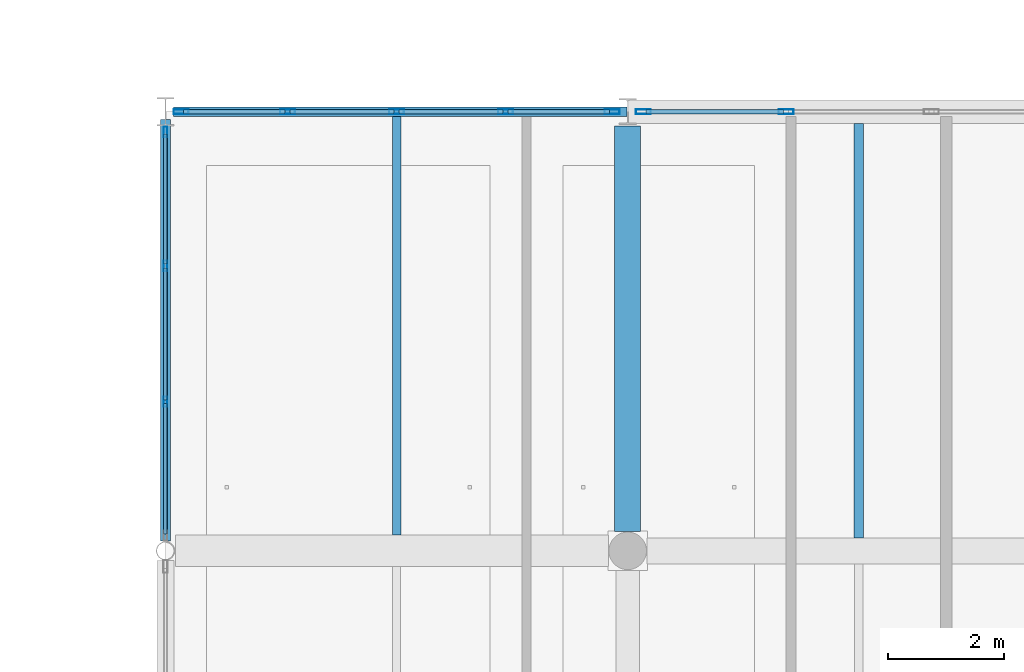
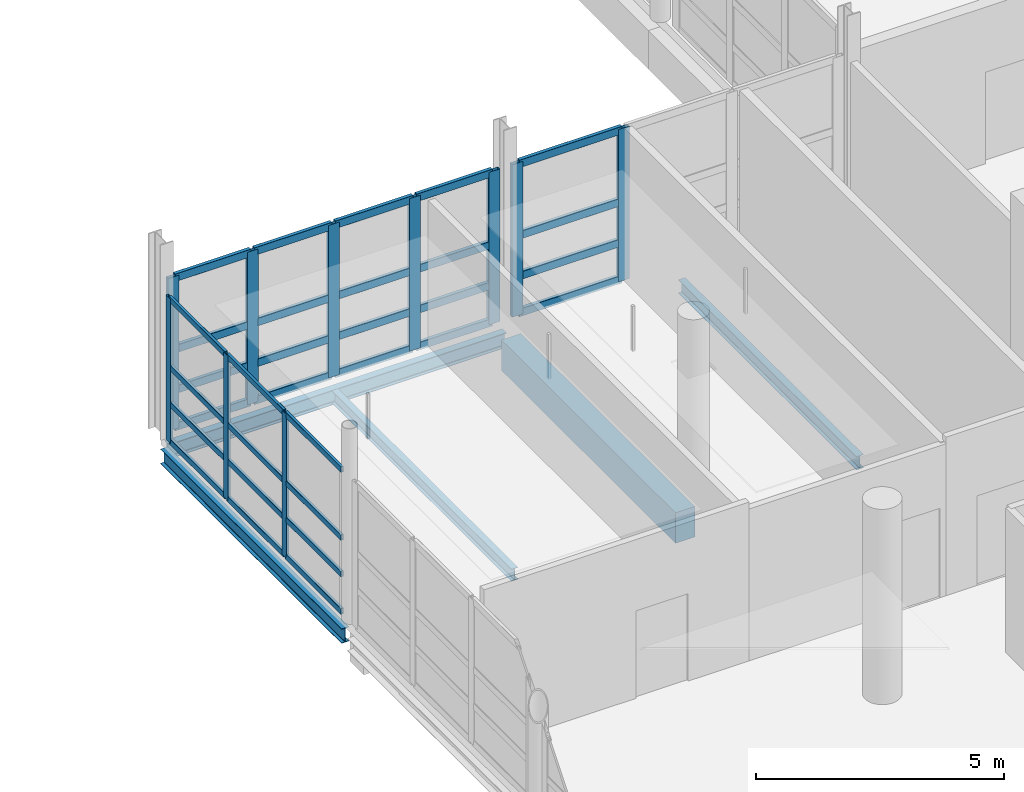
# One storey, part 50 of 147: 42 members, 5 beams, 3 elements without a shape of their own.
"""IFC4 building model written with IfcOpenShell, lengths in metres."""

from ifc_helpers import new_model, si_unit, direction, frame, origin, origin_2d, place, context, subcontext, project, spatial, rectangle, hollow_rectangle, i_section, extrude, material, material_profile, profile_set, type_object, element, aggregate, save


model = new_model("IFC4")

# Units and contexts
model_context = context("Model", 3, precision=1e-05, world=origin(), true_north=direction((0.0, 1.0)))
body_context = subcontext(model_context, "Body", "Model", "MODEL_VIEW")
ifc_project = project(units=[si_unit("LENGTHUNIT", "METRE"), si_unit("AREAUNIT", "SQUARE_METRE"), si_unit("VOLUMEUNIT", "CUBIC_METRE"), si_unit("PLANEANGLEUNIT", "RADIAN"), si_unit("MASSUNIT", "GRAM", prefix="KILO")], contexts=[model_context])

# Site, building, storey
site_placement = place(None, origin())
site = spatial("IfcSite", under=ifc_project, at=site_placement, CompositionType="ELEMENT")
building_placement = place(site_placement, origin())
building = spatial("IfcBuilding", under=site, at=building_placement, Name="Khelvaren Railside Concert Hall", CompositionType="ELEMENT")
storey_placement = place(building_placement, frame((0.0, 0.0, 5.39990234375)))
storey = spatial("IfcBuildingStorey", under=building, at=storey_placement, Name="L01", CompositionType="ELEMENT", Elevation=5.39990234375)

# Beam
ifc_material_1 = material(Name="Concrete C40/50", Category="concrete")
ifc_material_profile_1 = material_profile(ifc_material_1, rectangle(XDim=0.449951171875, YDim=0.75, at=origin_2d()), Name="RCB 450x750")
ifc_profile_set_1 = profile_set([ifc_material_profile_1], Name="Concrete C40/50")
beam_type_1 = type_object("IfcBeamType", Name="BM83", PredefinedType="BEAM", material=ifc_profile_set_1)
beam_1_placement = place(storey_placement, frame((152.0, 30.736083984375, -0.6748046875), z_axis=(0.0, 1.0, 0.0), x_axis=(-1.0, 0.0, 0.0)))
element("IfcBeam", 1, at=beam_1_placement, inside=storey, type_object=beam_type_1, Name="V2 L01 Beam Y2.5", PredefinedType="BEAM", context=body_context, shape_type="SweptSolid", body=[
    extrude(rectangle(XDim=0.449951171875, YDim=0.75, at=origin_2d()), origin(), (0.0, 0.0, 1.0), 7.013916015625),
])

# Curtain wall, members
ifc_material_2 = material(Name="Acoustic laminated crystal facade glass", Category="glass")
curtain_wall_type_1 = type_object("IfcCurtainWallType", Name="CW54", PredefinedType="USERDEFINED", material=ifc_material_2)
curtain_wall_1_placement = place(storey_placement, origin())
curtain_wall_1 = element("IfcCurtainWall", 2, at=curtain_wall_1_placement, inside=storey, type_object=curtain_wall_type_1, Name="Unitised Curtain Wall CW-V2-L01-N-144", ObjectType="UNITISED CURTAIN WALL", PredefinedType="USERDEFINED")
ifc_material_3 = material(Name="Anodised architectural aluminium 6063-T6", Category="aluminium")
ifc_material_profile_2 = material_profile(ifc_material_3, hollow_rectangle(XDim=0.0849609375, YDim=0.260009765625, WallThickness=0.0048828125, InnerFilletRadius=0.0029296875, OuterFilletRadius=0.0048828125, at=origin_2d()), Name="CWM 85x260x5")
ifc_profile_set_2 = profile_set([ifc_material_profile_2], Name="Anodised architectural aluminium 6063-T6")
member_type_1 = type_object("IfcMemberType", Name="CWM40", PredefinedType="MULLION", material=ifc_profile_set_2)
member_1_placement = place(storey_placement, frame((144.27001953125, 38.0, 0.0), z_axis=(0.0, 0.0, 1.0), x_axis=(0.0, 1.0, 0.0)))
member_1 = element("IfcMember", 3, at=member_1_placement, type_object=member_type_1, Name="CW54 mullion 1", PredefinedType="MULLION", context=body_context, shape_type="SweptSolid", body=[
    extrude(hollow_rectangle(XDim=0.0849609375, YDim=0.260009765625, WallThickness=0.0048828125, InnerFilletRadius=0.0029296875, OuterFilletRadius=0.0048828125, at=origin_2d()), origin(), (0.0, 0.0, 1.0), 3.75),
])
member_2_placement = place(storey_placement, frame((146.11376953125, 38.0, 0.0), z_axis=(0.0, 0.0, 1.0), x_axis=(0.0, 1.0, 0.0)))
member_2 = element("IfcMember", 4, at=member_2_placement, type_object=member_type_1, Name="CW54 mullion 2", PredefinedType="MULLION", context=body_context, shape_type="SweptSolid", body=[
    extrude(hollow_rectangle(XDim=0.0849609375, YDim=0.260009765625, WallThickness=0.0048828125, InnerFilletRadius=0.0029296875, OuterFilletRadius=0.0048828125, at=origin_2d()), origin(), (0.0, 0.0, 1.0), 3.75),
])
member_3_placement = place(storey_placement, frame((148.0, 38.0, 0.0), z_axis=(0.0, 0.0, 1.0), x_axis=(0.0, 1.0, 0.0)))
member_3 = element("IfcMember", 5, at=member_3_placement, type_object=member_type_1, Name="CW54 mullion 3", PredefinedType="MULLION", context=body_context, shape_type="SweptSolid", body=[
    extrude(hollow_rectangle(XDim=0.0849609375, YDim=0.260009765625, WallThickness=0.0048828125, InnerFilletRadius=0.0029296875, OuterFilletRadius=0.0048828125, at=origin_2d()), origin(), (0.0, 0.0, 1.0), 3.75),
])
member_4_placement = place(storey_placement, frame((149.88623046875, 38.0, 0.0), z_axis=(0.0, 0.0, 1.0), x_axis=(0.0, 1.0, 0.0)))
member_4 = element("IfcMember", 6, at=member_4_placement, type_object=member_type_1, Name="CW54 mullion 4", PredefinedType="MULLION", context=body_context, shape_type="SweptSolid", body=[
    extrude(hollow_rectangle(XDim=0.0849609375, YDim=0.260009765625, WallThickness=0.0048828125, InnerFilletRadius=0.0029296875, OuterFilletRadius=0.0048828125, at=origin_2d()), origin(), (0.0, 0.0, 1.0), 3.75),
])
member_5_placement = place(storey_placement, frame((151.72998046875, 38.0, 0.0), z_axis=(0.0, 0.0, 1.0), x_axis=(0.0, 1.0, 0.0)))
member_5 = element("IfcMember", 7, at=member_5_placement, type_object=member_type_1, Name="CW54 mullion 5", PredefinedType="MULLION", context=body_context, shape_type="SweptSolid", body=[
    extrude(hollow_rectangle(XDim=0.0849609375, YDim=0.260009765625, WallThickness=0.0048828125, InnerFilletRadius=0.0029296875, OuterFilletRadius=0.0048828125, at=origin_2d()), origin(), (0.0, 0.0, 1.0), 3.75),
])

curtain_wall_type_2 = type_object("IfcCurtainWallType", Name="CW66", PredefinedType="USERDEFINED", material=ifc_material_2)
curtain_wall_2_placement = place(storey_placement, origin())
curtain_wall_2 = element("IfcCurtainWall", 8, at=curtain_wall_2_placement, inside=storey, type_object=curtain_wall_type_2, Name="Unitised Curtain Wall CW-V2-L01-N-152", ObjectType="UNITISED CURTAIN WALL", PredefinedType="USERDEFINED")
member_6_placement = place(storey_placement, frame((152.27001953125, 38.0, 0.0), z_axis=(0.0, 0.0, 1.0), x_axis=(0.0, 1.0, 0.0)))
member_6 = element("IfcMember", 9, at=member_6_placement, type_object=member_type_1, Name="CW66 mullion 1", PredefinedType="MULLION", context=body_context, shape_type="SweptSolid", body=[
    extrude(hollow_rectangle(XDim=0.0849609375, YDim=0.260009765625, WallThickness=0.0048828125, InnerFilletRadius=0.0029296875, OuterFilletRadius=0.0048828125, at=origin_2d()), origin(), (0.0, 0.0, 1.0), 3.75),
])
member_7_placement = place(storey_placement, frame((154.742431640625, 38.0, 0.0), z_axis=(0.0, 0.0, 1.0), x_axis=(0.0, 1.0, 0.0)))
member_7 = element("IfcMember", 10, at=member_7_placement, type_object=member_type_1, Name="CW66 mullion 2", PredefinedType="MULLION", context=body_context, shape_type="SweptSolid", body=[
    extrude(hollow_rectangle(XDim=0.0849609375, YDim=0.260009765625, WallThickness=0.0048828125, InnerFilletRadius=0.0029296875, OuterFilletRadius=0.0048828125, at=origin_2d()), origin(), (0.0, 0.0, 1.0), 3.75),
])

ifc_material_4 = material(Name="Double-glazed low-E dark acoustic glass", Category="glass")
curtain_wall_type_3 = type_object("IfcCurtainWallType", Name="CW65", PredefinedType="USERDEFINED", material=ifc_material_4)
curtain_wall_3_placement = place(storey_placement, origin())
curtain_wall_3 = element("IfcCurtainWall", 11, at=curtain_wall_3_placement, inside=storey, type_object=curtain_wall_type_3, Name="Unitised Curtain Wall CW-V2-L01-W-30", ObjectType="UNITISED CURTAIN WALL", PredefinedType="USERDEFINED")
ifc_material_profile_3 = material_profile(ifc_material_3, hollow_rectangle(XDim=0.06494140625, YDim=0.179931640625, WallThickness=0.00390625, InnerFilletRadius=0.001953125, OuterFilletRadius=0.00390625, at=origin_2d()), Name="CWM 65x180x4")
ifc_profile_set_3 = profile_set([ifc_material_profile_3], Name="Anodised architectural aluminium 6063-T6")
member_type_2 = type_object("IfcMemberType", Name="CWM63", PredefinedType="MULLION", material=ifc_profile_set_3)
member_8_placement = place(storey_placement, frame((144.0, 32.98046875, 0.0), z_axis=(0.0, 0.0, 1.0), x_axis=(-1.0, 0.0, 0.0)))
member_8 = element("IfcMember", 12, at=member_8_placement, type_object=member_type_2, Name="CW65 mullion 2", PredefinedType="MULLION", context=body_context, shape_type="SweptSolid", body=[
    extrude(hollow_rectangle(XDim=0.06494140625, YDim=0.179931640625, WallThickness=0.00390625, InnerFilletRadius=0.001953125, OuterFilletRadius=0.00390625, at=origin_2d()), origin(), (0.0, 0.0, 1.0), 3.550048828125),
])
member_9_placement = place(storey_placement, frame((144.0, 35.33154296875, 0.0), z_axis=(0.0, 0.0, 1.0), x_axis=(-1.0, 0.0, 0.0)))
member_9 = element("IfcMember", 13, at=member_9_placement, type_object=member_type_2, Name="CW65 mullion 3", PredefinedType="MULLION", context=body_context, shape_type="SweptSolid", body=[
    extrude(hollow_rectangle(XDim=0.06494140625, YDim=0.179931640625, WallThickness=0.00390625, InnerFilletRadius=0.001953125, OuterFilletRadius=0.00390625, at=origin_2d()), origin(), (0.0, 0.0, 1.0), 3.550048828125),
])
member_10_placement = place(storey_placement, frame((144.0, 37.64990234375, 0.0), z_axis=(0.0, 0.0, 1.0), x_axis=(-1.0, 0.0, 0.0)))
member_10 = element("IfcMember", 14, at=member_10_placement, type_object=member_type_2, Name="CW65 mullion 4", PredefinedType="MULLION", context=body_context, shape_type="SweptSolid", body=[
    extrude(hollow_rectangle(XDim=0.06494140625, YDim=0.179931640625, WallThickness=0.00390625, InnerFilletRadius=0.001953125, OuterFilletRadius=0.00390625, at=origin_2d()), origin(), (0.0, 0.0, 1.0), 3.550048828125),
])

# Member
ifc_material_profile_4 = material_profile(ifc_material_3, hollow_rectangle(XDim=0.0849609375, YDim=0.18994140625, WallThickness=0.0048828125, InnerFilletRadius=0.0029296875, OuterFilletRadius=0.0048828125, at=origin_2d()), Name="CWT 85x190x5")
ifc_profile_set_4 = profile_set([ifc_material_profile_4], Name="Anodised architectural aluminium 6063-T6")
member_type_3 = type_object("IfcMemberType", Name="CWT31", PredefinedType="USERDEFINED", material=ifc_profile_set_4)
member_11_placement = place(storey_placement, frame((144.3125, 38.0, 0.04248046875), z_axis=(1.0, 0.0, 0.0), x_axis=(0.0, 1.0, 0.0)))
member_11 = element("IfcMember", 15, at=member_11_placement, type_object=member_type_3, Name="CW54 transom 1.1", ObjectType="TRANSOM", PredefinedType="USERDEFINED", context=body_context, shape_type="SweptSolid", body=[
    extrude(hollow_rectangle(XDim=0.0849609375, YDim=0.18994140625, WallThickness=0.0048828125, InnerFilletRadius=0.0029296875, OuterFilletRadius=0.0048828125, at=origin_2d()), origin(), (0.0, 0.0, 1.0), 1.7587890625),
])

member_12_placement = place(storey_placement, frame((144.3125, 38.0, 0.9501953125), z_axis=(1.0, 0.0, 0.0), x_axis=(0.0, 1.0, 0.0)))
member_12 = element("IfcMember", 16, at=member_12_placement, type_object=member_type_3, Name="CW54 transom 1.2", ObjectType="TRANSOM", PredefinedType="USERDEFINED", context=body_context, shape_type="SweptSolid", body=[
    extrude(hollow_rectangle(XDim=0.0849609375, YDim=0.18994140625, WallThickness=0.0048828125, InnerFilletRadius=0.0029296875, OuterFilletRadius=0.0048828125, at=origin_2d()), origin(), (0.0, 0.0, 1.0), 1.7587890625),
])

member_13_placement = place(storey_placement, frame((144.3125, 38.0, 1.9501953125), z_axis=(1.0, 0.0, 0.0), x_axis=(0.0, 1.0, 0.0)))
member_13 = element("IfcMember", 17, at=member_13_placement, type_object=member_type_3, Name="CW54 transom 1.3", ObjectType="TRANSOM", PredefinedType="USERDEFINED", context=body_context, shape_type="SweptSolid", body=[
    extrude(hollow_rectangle(XDim=0.0849609375, YDim=0.18994140625, WallThickness=0.0048828125, InnerFilletRadius=0.0029296875, OuterFilletRadius=0.0048828125, at=origin_2d()), origin(), (0.0, 0.0, 1.0), 1.7587890625),
])

member_14_placement = place(storey_placement, frame((144.3125, 38.0, 3.70751953125), z_axis=(1.0, 0.0, 0.0), x_axis=(0.0, 1.0, 0.0)))
member_14 = element("IfcMember", 18, at=member_14_placement, type_object=member_type_3, Name="CW54 transom 1.4", ObjectType="TRANSOM", PredefinedType="USERDEFINED", context=body_context, shape_type="SweptSolid", body=[
    extrude(hollow_rectangle(XDim=0.0849609375, YDim=0.18994140625, WallThickness=0.0048828125, InnerFilletRadius=0.0029296875, OuterFilletRadius=0.0048828125, at=origin_2d()), origin(), (0.0, 0.0, 1.0), 1.7587890625),
])

member_15_placement = place(storey_placement, frame((146.15625, 38.0, 0.04248046875), z_axis=(1.0, 0.0, 0.0), x_axis=(0.0, 1.0, 0.0)))
member_15 = element("IfcMember", 19, at=member_15_placement, type_object=member_type_3, Name="CW54 transom 2.1", ObjectType="TRANSOM", PredefinedType="USERDEFINED", context=body_context, shape_type="SweptSolid", body=[
    extrude(hollow_rectangle(XDim=0.0849609375, YDim=0.18994140625, WallThickness=0.0048828125, InnerFilletRadius=0.0029296875, OuterFilletRadius=0.0048828125, at=origin_2d()), origin(), (0.0, 0.0, 1.0), 1.80126953125),
])

member_16_placement = place(storey_placement, frame((146.15625, 38.0, 0.9501953125), z_axis=(1.0, 0.0, 0.0), x_axis=(0.0, 1.0, 0.0)))
member_16 = element("IfcMember", 20, at=member_16_placement, type_object=member_type_3, Name="CW54 transom 2.2", ObjectType="TRANSOM", PredefinedType="USERDEFINED", context=body_context, shape_type="SweptSolid", body=[
    extrude(hollow_rectangle(XDim=0.0849609375, YDim=0.18994140625, WallThickness=0.0048828125, InnerFilletRadius=0.0029296875, OuterFilletRadius=0.0048828125, at=origin_2d()), origin(), (0.0, 0.0, 1.0), 1.80126953125),
])

member_17_placement = place(storey_placement, frame((146.15625, 38.0, 1.9501953125), z_axis=(1.0, 0.0, 0.0), x_axis=(0.0, 1.0, 0.0)))
member_17 = element("IfcMember", 21, at=member_17_placement, type_object=member_type_3, Name="CW54 transom 2.3", ObjectType="TRANSOM", PredefinedType="USERDEFINED", context=body_context, shape_type="SweptSolid", body=[
    extrude(hollow_rectangle(XDim=0.0849609375, YDim=0.18994140625, WallThickness=0.0048828125, InnerFilletRadius=0.0029296875, OuterFilletRadius=0.0048828125, at=origin_2d()), origin(), (0.0, 0.0, 1.0), 1.80126953125),
])

member_18_placement = place(storey_placement, frame((146.15625, 38.0, 3.70751953125), z_axis=(1.0, 0.0, 0.0), x_axis=(0.0, 1.0, 0.0)))
member_18 = element("IfcMember", 22, at=member_18_placement, type_object=member_type_3, Name="CW54 transom 2.4", ObjectType="TRANSOM", PredefinedType="USERDEFINED", context=body_context, shape_type="SweptSolid", body=[
    extrude(hollow_rectangle(XDim=0.0849609375, YDim=0.18994140625, WallThickness=0.0048828125, InnerFilletRadius=0.0029296875, OuterFilletRadius=0.0048828125, at=origin_2d()), origin(), (0.0, 0.0, 1.0), 1.80126953125),
])

member_19_placement = place(storey_placement, frame((148.04248046875, 38.0, 0.04248046875), z_axis=(1.0, 0.0, 0.0), x_axis=(0.0, 1.0, 0.0)))
member_19 = element("IfcMember", 23, at=member_19_placement, type_object=member_type_3, Name="CW54 transom 3.1", ObjectType="TRANSOM", PredefinedType="USERDEFINED", context=body_context, shape_type="SweptSolid", body=[
    extrude(hollow_rectangle(XDim=0.0849609375, YDim=0.18994140625, WallThickness=0.0048828125, InnerFilletRadius=0.0029296875, OuterFilletRadius=0.0048828125, at=origin_2d()), origin(), (0.0, 0.0, 1.0), 1.80126953125),
])

member_20_placement = place(storey_placement, frame((148.04248046875, 38.0, 0.9501953125), z_axis=(1.0, 0.0, 0.0), x_axis=(0.0, 1.0, 0.0)))
member_20 = element("IfcMember", 24, at=member_20_placement, type_object=member_type_3, Name="CW54 transom 3.2", ObjectType="TRANSOM", PredefinedType="USERDEFINED", context=body_context, shape_type="SweptSolid", body=[
    extrude(hollow_rectangle(XDim=0.0849609375, YDim=0.18994140625, WallThickness=0.0048828125, InnerFilletRadius=0.0029296875, OuterFilletRadius=0.0048828125, at=origin_2d()), origin(), (0.0, 0.0, 1.0), 1.80126953125),
])

member_21_placement = place(storey_placement, frame((148.04248046875, 38.0, 1.9501953125), z_axis=(1.0, 0.0, 0.0), x_axis=(0.0, 1.0, 0.0)))
member_21 = element("IfcMember", 25, at=member_21_placement, type_object=member_type_3, Name="CW54 transom 3.3", ObjectType="TRANSOM", PredefinedType="USERDEFINED", context=body_context, shape_type="SweptSolid", body=[
    extrude(hollow_rectangle(XDim=0.0849609375, YDim=0.18994140625, WallThickness=0.0048828125, InnerFilletRadius=0.0029296875, OuterFilletRadius=0.0048828125, at=origin_2d()), origin(), (0.0, 0.0, 1.0), 1.80126953125),
])

member_22_placement = place(storey_placement, frame((148.04248046875, 38.0, 3.70751953125), z_axis=(1.0, 0.0, 0.0), x_axis=(0.0, 1.0, 0.0)))
member_22 = element("IfcMember", 26, at=member_22_placement, type_object=member_type_3, Name="CW54 transom 3.4", ObjectType="TRANSOM", PredefinedType="USERDEFINED", context=body_context, shape_type="SweptSolid", body=[
    extrude(hollow_rectangle(XDim=0.0849609375, YDim=0.18994140625, WallThickness=0.0048828125, InnerFilletRadius=0.0029296875, OuterFilletRadius=0.0048828125, at=origin_2d()), origin(), (0.0, 0.0, 1.0), 1.80126953125),
])

member_23_placement = place(storey_placement, frame((149.9287109375, 38.0, 0.04248046875), z_axis=(1.0, 0.0, 0.0), x_axis=(0.0, 1.0, 0.0)))
member_23 = element("IfcMember", 27, at=member_23_placement, type_object=member_type_3, Name="CW54 transom 4.1", ObjectType="TRANSOM", PredefinedType="USERDEFINED", context=body_context, shape_type="SweptSolid", body=[
    extrude(hollow_rectangle(XDim=0.0849609375, YDim=0.18994140625, WallThickness=0.0048828125, InnerFilletRadius=0.0029296875, OuterFilletRadius=0.0048828125, at=origin_2d()), origin(), (0.0, 0.0, 1.0), 1.7587890625),
])

member_24_placement = place(storey_placement, frame((149.9287109375, 38.0, 0.9501953125), z_axis=(1.0, 0.0, 0.0), x_axis=(0.0, 1.0, 0.0)))
member_24 = element("IfcMember", 28, at=member_24_placement, type_object=member_type_3, Name="CW54 transom 4.2", ObjectType="TRANSOM", PredefinedType="USERDEFINED", context=body_context, shape_type="SweptSolid", body=[
    extrude(hollow_rectangle(XDim=0.0849609375, YDim=0.18994140625, WallThickness=0.0048828125, InnerFilletRadius=0.0029296875, OuterFilletRadius=0.0048828125, at=origin_2d()), origin(), (0.0, 0.0, 1.0), 1.7587890625),
])

member_25_placement = place(storey_placement, frame((149.9287109375, 38.0, 1.9501953125), z_axis=(1.0, 0.0, 0.0), x_axis=(0.0, 1.0, 0.0)))
member_25 = element("IfcMember", 29, at=member_25_placement, type_object=member_type_3, Name="CW54 transom 4.3", ObjectType="TRANSOM", PredefinedType="USERDEFINED", context=body_context, shape_type="SweptSolid", body=[
    extrude(hollow_rectangle(XDim=0.0849609375, YDim=0.18994140625, WallThickness=0.0048828125, InnerFilletRadius=0.0029296875, OuterFilletRadius=0.0048828125, at=origin_2d()), origin(), (0.0, 0.0, 1.0), 1.7587890625),
])

member_26_placement = place(storey_placement, frame((149.9287109375, 38.0, 3.70751953125), z_axis=(1.0, 0.0, 0.0), x_axis=(0.0, 1.0, 0.0)))
member_26 = element("IfcMember", 30, at=member_26_placement, type_object=member_type_3, Name="CW54 transom 4.4", ObjectType="TRANSOM", PredefinedType="USERDEFINED", context=body_context, shape_type="SweptSolid", body=[
    extrude(hollow_rectangle(XDim=0.0849609375, YDim=0.18994140625, WallThickness=0.0048828125, InnerFilletRadius=0.0029296875, OuterFilletRadius=0.0048828125, at=origin_2d()), origin(), (0.0, 0.0, 1.0), 1.7587890625),
])

aggregate(curtain_wall_1, [member_1, member_2, member_3, member_4, member_5, member_11, member_12, member_13, member_14, member_15, member_16, member_17, member_18, member_19, member_20, member_21, member_22, member_23, member_24, member_25, member_26])

member_27_placement = place(storey_placement, frame((152.3125, 38.0, 0.04248046875), z_axis=(1.0, 0.0, 0.0), x_axis=(0.0, 1.0, 0.0)))
member_27 = element("IfcMember", 31, at=member_27_placement, type_object=member_type_3, Name="CW66 transom 1.1", ObjectType="TRANSOM", PredefinedType="USERDEFINED", context=body_context, shape_type="SweptSolid", body=[
    extrude(hollow_rectangle(XDim=0.0849609375, YDim=0.18994140625, WallThickness=0.0048828125, InnerFilletRadius=0.0029296875, OuterFilletRadius=0.0048828125, at=origin_2d()), origin(), (0.0, 0.0, 1.0), 2.387451171875),
])

member_28_placement = place(storey_placement, frame((152.3125, 38.0, 0.9501953125), z_axis=(1.0, 0.0, 0.0), x_axis=(0.0, 1.0, 0.0)))
member_28 = element("IfcMember", 32, at=member_28_placement, type_object=member_type_3, Name="CW66 transom 1.2", ObjectType="TRANSOM", PredefinedType="USERDEFINED", context=body_context, shape_type="SweptSolid", body=[
    extrude(hollow_rectangle(XDim=0.0849609375, YDim=0.18994140625, WallThickness=0.0048828125, InnerFilletRadius=0.0029296875, OuterFilletRadius=0.0048828125, at=origin_2d()), origin(), (0.0, 0.0, 1.0), 2.387451171875),
])

member_29_placement = place(storey_placement, frame((152.3125, 38.0, 1.9501953125), z_axis=(1.0, 0.0, 0.0), x_axis=(0.0, 1.0, 0.0)))
member_29 = element("IfcMember", 33, at=member_29_placement, type_object=member_type_3, Name="CW66 transom 1.3", ObjectType="TRANSOM", PredefinedType="USERDEFINED", context=body_context, shape_type="SweptSolid", body=[
    extrude(hollow_rectangle(XDim=0.0849609375, YDim=0.18994140625, WallThickness=0.0048828125, InnerFilletRadius=0.0029296875, OuterFilletRadius=0.0048828125, at=origin_2d()), origin(), (0.0, 0.0, 1.0), 2.387451171875),
])

member_30_placement = place(storey_placement, frame((152.3125, 38.0, 3.70751953125), z_axis=(1.0, 0.0, 0.0), x_axis=(0.0, 1.0, 0.0)))
member_30 = element("IfcMember", 34, at=member_30_placement, type_object=member_type_3, Name="CW66 transom 1.4", ObjectType="TRANSOM", PredefinedType="USERDEFINED", context=body_context, shape_type="SweptSolid", body=[
    extrude(hollow_rectangle(XDim=0.0849609375, YDim=0.18994140625, WallThickness=0.0048828125, InnerFilletRadius=0.0029296875, OuterFilletRadius=0.0048828125, at=origin_2d()), origin(), (0.0, 0.0, 1.0), 2.387451171875),
])

aggregate(curtain_wall_2, [member_6, member_7, member_27, member_28, member_29, member_30])

ifc_material_profile_5 = material_profile(ifc_material_3, hollow_rectangle(XDim=0.06494140625, YDim=0.139892578125, WallThickness=0.00390625, InnerFilletRadius=0.001953125, OuterFilletRadius=0.00390625, at=origin_2d()), Name="CWT 65x140x4")
ifc_profile_set_5 = profile_set([ifc_material_profile_5], Name="Anodised architectural aluminium 6063-T6")
member_type_4 = type_object("IfcMemberType", Name="CWT72", PredefinedType="USERDEFINED", material=ifc_profile_set_5)
member_31_placement = place(storey_placement, frame((144.0, 30.694580078125, 0.03271484375), z_axis=(0.0, 1.0, 0.0), x_axis=(-1.0, 0.0, 0.0)))
member_31 = element("IfcMember", 35, at=member_31_placement, type_object=member_type_4, Name="CW65 transom 1.1", ObjectType="TRANSOM", PredefinedType="USERDEFINED", context=body_context, shape_type="SweptSolid", body=[
    extrude(hollow_rectangle(XDim=0.06494140625, YDim=0.139892578125, WallThickness=0.00390625, InnerFilletRadius=0.001953125, OuterFilletRadius=0.00390625, at=origin_2d()), origin(), (0.0, 0.0, 1.0), 2.25341796875),
])

member_32_placement = place(storey_placement, frame((144.0, 30.694580078125, 0.9501953125), z_axis=(0.0, 1.0, 0.0), x_axis=(-1.0, 0.0, 0.0)))
member_32 = element("IfcMember", 36, at=member_32_placement, type_object=member_type_4, Name="CW65 transom 1.2", ObjectType="TRANSOM", PredefinedType="USERDEFINED", context=body_context, shape_type="SweptSolid", body=[
    extrude(hollow_rectangle(XDim=0.06494140625, YDim=0.139892578125, WallThickness=0.00390625, InnerFilletRadius=0.001953125, OuterFilletRadius=0.00390625, at=origin_2d()), origin(), (0.0, 0.0, 1.0), 2.25341796875),
])

member_33_placement = place(storey_placement, frame((144.0, 30.694580078125, 1.84619140625), z_axis=(0.0, 1.0, 0.0), x_axis=(-1.0, 0.0, 0.0)))
member_33 = element("IfcMember", 37, at=member_33_placement, type_object=member_type_4, Name="CW65 transom 1.3", ObjectType="TRANSOM", PredefinedType="USERDEFINED", context=body_context, shape_type="SweptSolid", body=[
    extrude(hollow_rectangle(XDim=0.06494140625, YDim=0.139892578125, WallThickness=0.00390625, InnerFilletRadius=0.001953125, OuterFilletRadius=0.00390625, at=origin_2d()), origin(), (0.0, 0.0, 1.0), 2.25341796875),
])

member_34_placement = place(storey_placement, frame((144.0, 30.694580078125, 3.517578125), z_axis=(0.0, 1.0, 0.0), x_axis=(-1.0, 0.0, 0.0)))
member_34 = element("IfcMember", 38, at=member_34_placement, type_object=member_type_4, Name="CW65 transom 1.4", ObjectType="TRANSOM", PredefinedType="USERDEFINED", context=body_context, shape_type="SweptSolid", body=[
    extrude(hollow_rectangle(XDim=0.06494140625, YDim=0.139892578125, WallThickness=0.00390625, InnerFilletRadius=0.001953125, OuterFilletRadius=0.00390625, at=origin_2d()), origin(), (0.0, 0.0, 1.0), 2.25341796875),
])

member_35_placement = place(storey_placement, frame((144.0, 33.012939453125, 0.03271484375), z_axis=(0.0, 1.0, 0.0), x_axis=(-1.0, 0.0, 0.0)))
member_35 = element("IfcMember", 39, at=member_35_placement, type_object=member_type_4, Name="CW65 transom 2.1", ObjectType="TRANSOM", PredefinedType="USERDEFINED", context=body_context, shape_type="SweptSolid", body=[
    extrude(hollow_rectangle(XDim=0.06494140625, YDim=0.139892578125, WallThickness=0.00390625, InnerFilletRadius=0.001953125, OuterFilletRadius=0.00390625, at=origin_2d()), origin(), (0.0, 0.0, 1.0), 2.2861328125),
])

member_36_placement = place(storey_placement, frame((144.0, 33.012939453125, 0.9501953125), z_axis=(0.0, 1.0, 0.0), x_axis=(-1.0, 0.0, 0.0)))
member_36 = element("IfcMember", 40, at=member_36_placement, type_object=member_type_4, Name="CW65 transom 2.2", ObjectType="TRANSOM", PredefinedType="USERDEFINED", context=body_context, shape_type="SweptSolid", body=[
    extrude(hollow_rectangle(XDim=0.06494140625, YDim=0.139892578125, WallThickness=0.00390625, InnerFilletRadius=0.001953125, OuterFilletRadius=0.00390625, at=origin_2d()), origin(), (0.0, 0.0, 1.0), 2.2861328125),
])

member_37_placement = place(storey_placement, frame((144.0, 33.012939453125, 1.84619140625), z_axis=(0.0, 1.0, 0.0), x_axis=(-1.0, 0.0, 0.0)))
member_37 = element("IfcMember", 41, at=member_37_placement, type_object=member_type_4, Name="CW65 transom 2.3", ObjectType="TRANSOM", PredefinedType="USERDEFINED", context=body_context, shape_type="SweptSolid", body=[
    extrude(hollow_rectangle(XDim=0.06494140625, YDim=0.139892578125, WallThickness=0.00390625, InnerFilletRadius=0.001953125, OuterFilletRadius=0.00390625, at=origin_2d()), origin(), (0.0, 0.0, 1.0), 2.2861328125),
])

member_38_placement = place(storey_placement, frame((144.0, 33.012939453125, 3.517578125), z_axis=(0.0, 1.0, 0.0), x_axis=(-1.0, 0.0, 0.0)))
member_38 = element("IfcMember", 42, at=member_38_placement, type_object=member_type_4, Name="CW65 transom 2.4", ObjectType="TRANSOM", PredefinedType="USERDEFINED", context=body_context, shape_type="SweptSolid", body=[
    extrude(hollow_rectangle(XDim=0.06494140625, YDim=0.139892578125, WallThickness=0.00390625, InnerFilletRadius=0.001953125, OuterFilletRadius=0.00390625, at=origin_2d()), origin(), (0.0, 0.0, 1.0), 2.2861328125),
])

member_39_placement = place(storey_placement, frame((144.0, 35.364013671875, 0.03271484375), z_axis=(0.0, 1.0, 0.0), x_axis=(-1.0, 0.0, 0.0)))
member_39 = element("IfcMember", 43, at=member_39_placement, type_object=member_type_4, Name="CW65 transom 3.1", ObjectType="TRANSOM", PredefinedType="USERDEFINED", context=body_context, shape_type="SweptSolid", body=[
    extrude(hollow_rectangle(XDim=0.06494140625, YDim=0.139892578125, WallThickness=0.00390625, InnerFilletRadius=0.001953125, OuterFilletRadius=0.00390625, at=origin_2d()), origin(), (0.0, 0.0, 1.0), 2.25341796875),
])

member_40_placement = place(storey_placement, frame((144.0, 35.364013671875, 0.9501953125), z_axis=(0.0, 1.0, 0.0), x_axis=(-1.0, 0.0, 0.0)))
member_40 = element("IfcMember", 44, at=member_40_placement, type_object=member_type_4, Name="CW65 transom 3.2", ObjectType="TRANSOM", PredefinedType="USERDEFINED", context=body_context, shape_type="SweptSolid", body=[
    extrude(hollow_rectangle(XDim=0.06494140625, YDim=0.139892578125, WallThickness=0.00390625, InnerFilletRadius=0.001953125, OuterFilletRadius=0.00390625, at=origin_2d()), origin(), (0.0, 0.0, 1.0), 2.25341796875),
])

member_41_placement = place(storey_placement, frame((144.0, 35.364013671875, 1.84619140625), z_axis=(0.0, 1.0, 0.0), x_axis=(-1.0, 0.0, 0.0)))
member_41 = element("IfcMember", 45, at=member_41_placement, type_object=member_type_4, Name="CW65 transom 3.3", ObjectType="TRANSOM", PredefinedType="USERDEFINED", context=body_context, shape_type="SweptSolid", body=[
    extrude(hollow_rectangle(XDim=0.06494140625, YDim=0.139892578125, WallThickness=0.00390625, InnerFilletRadius=0.001953125, OuterFilletRadius=0.00390625, at=origin_2d()), origin(), (0.0, 0.0, 1.0), 2.25341796875),
])

member_42_placement = place(storey_placement, frame((144.0, 35.364013671875, 3.517578125), z_axis=(0.0, 1.0, 0.0), x_axis=(-1.0, 0.0, 0.0)))
member_42 = element("IfcMember", 46, at=member_42_placement, type_object=member_type_4, Name="CW65 transom 3.4", ObjectType="TRANSOM", PredefinedType="USERDEFINED", context=body_context, shape_type="SweptSolid", body=[
    extrude(hollow_rectangle(XDim=0.06494140625, YDim=0.139892578125, WallThickness=0.00390625, InnerFilletRadius=0.001953125, OuterFilletRadius=0.00390625, at=origin_2d()), origin(), (0.0, 0.0, 1.0), 2.25341796875),
])

aggregate(curtain_wall_3, [member_8, member_9, member_10, member_31, member_32, member_33, member_34, member_35, member_36, member_37, member_38, member_39, member_40, member_41, member_42])

# Beams
ifc_material_5 = material(Name="Steel S355", Category="steel")
ifc_material_profile_6 = material_profile(ifc_material_5, i_section(OverallWidth=0.14990234375, OverallDepth=0.300048828125, WebThickness=0.007080078125, FlangeThickness=0.0107421875, FilletRadius=0.014892578125, at=origin_2d()), Name="IPE 300")
ifc_profile_set_6 = profile_set([ifc_material_profile_6], Name="Steel S355")
beam_type_2 = type_object("IfcBeamType", Name="JS26", PredefinedType="JOIST", material=ifc_profile_set_6)
beam_2_placement = place(storey_placement, frame((148.0, 30.675048828125, -0.449951171875), z_axis=(0.0, 1.0, 0.0), x_axis=(-1.0, 0.0, 0.0)))
element("IfcBeam", 47, at=beam_2_placement, inside=storey, type_object=beam_type_2, Name="V2 L01 Secondary Joist 1.5", PredefinedType="JOIST", context=body_context, shape_type="SweptSolid", body=[
    extrude(i_section(OverallWidth=0.14990234375, OverallDepth=0.300048828125, WebThickness=0.007080078125, FlangeThickness=0.0107421875, FilletRadius=0.014892578125, at=origin_2d()), origin(), (0.0, 0.0, 1.0), 7.239990234375),
])
ifc_material_profile_7 = material_profile(ifc_material_5, i_section(OverallWidth=0.159912109375, OverallDepth=0.330078125, WebThickness=0.007568359375, FlangeThickness=0.011474609375, FilletRadius=0.01806640625, at=origin_2d()), Name="IPE 330")
ifc_profile_set_7 = profile_set([ifc_material_profile_7], Name="Steel S355")
beam_type_3 = type_object("IfcBeamType", Name="JS65", PredefinedType="JOIST", material=ifc_profile_set_7)
beam_3_placement = place(storey_placement, frame((156.0, 30.625, -0.46484375), z_axis=(0.0, 1.0, 0.0), x_axis=(-1.0, 0.0, 0.0)))
element("IfcBeam", 48, at=beam_3_placement, inside=storey, type_object=beam_type_3, Name="V2 L01 Secondary Joist 2.5", PredefinedType="JOIST", context=body_context, shape_type="SweptSolid", body=[
    extrude(i_section(OverallWidth=0.159912109375, OverallDepth=0.330078125, WebThickness=0.007568359375, FlangeThickness=0.011474609375, FilletRadius=0.01806640625, at=origin_2d()), origin(), (0.0, 0.0, 1.0), 7.175048828125),
])
ifc_material_profile_8 = material_profile(ifc_material_5, i_section(OverallWidth=0.169921875, OverallDepth=0.360107421875, WebThickness=0.008056640625, FlangeThickness=0.0126953125, FilletRadius=0.01806640625, at=origin_2d()), Name="IPE 360")
ifc_profile_set_8 = profile_set([ifc_material_profile_8], Name="Steel S355")
beam_type_4 = type_object("IfcBeamType", Name="SP74", PredefinedType="SPANDREL", material=ifc_profile_set_8)
beam_4_placement = place(storey_placement, frame((144.135986328125, 38.0, -0.47998046875), z_axis=(1.0, 0.0, 0.0), x_axis=(0.0, 1.0, 0.0)))
element("IfcBeam", 49, at=beam_4_placement, inside=storey, type_object=beam_type_4, Name="V2 L01 Spandrel X6.1", PredefinedType="SPANDREL", context=body_context, shape_type="SweptSolid", body=[
    extrude(i_section(OverallWidth=0.169921875, OverallDepth=0.360107421875, WebThickness=0.008056640625, FlangeThickness=0.0126953125, FilletRadius=0.01806640625, at=origin_2d()), origin(), (0.0, 0.0, 1.0), 7.85400390625),
])
beam_5_placement = place(storey_placement, frame((144.0, 30.57080078125, -0.47998046875), z_axis=(0.0, 1.0, 0.0), x_axis=(-1.0, 0.0, 0.0)))
element("IfcBeam", 50, at=beam_5_placement, inside=storey, type_object=beam_type_4, Name="V2 L01 Spandrel Y1.5", PredefinedType="SPANDREL", context=body_context, shape_type="SweptSolid", body=[
    extrude(i_section(OverallWidth=0.169921875, OverallDepth=0.360107421875, WebThickness=0.008056640625, FlangeThickness=0.0126953125, FilletRadius=0.01806640625, at=origin_2d()), origin(), (0.0, 0.0, 1.0), 7.293212890625),
])

save(model, "model.ifc")
